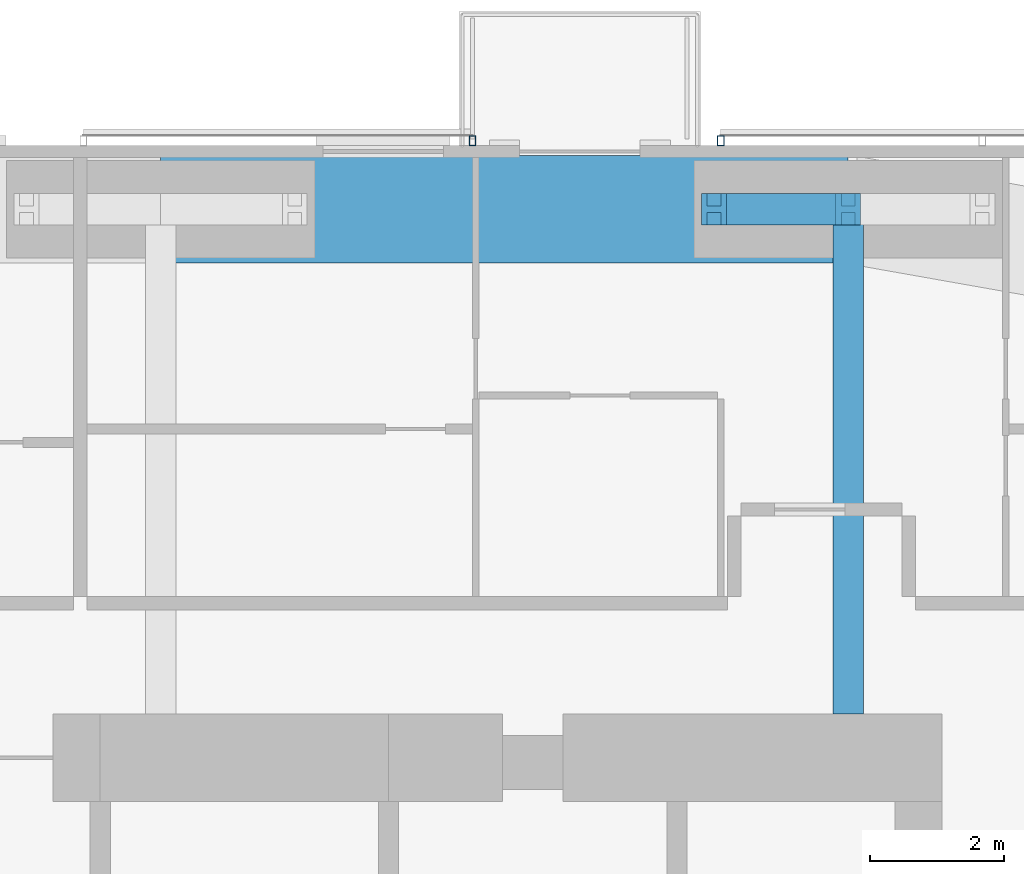
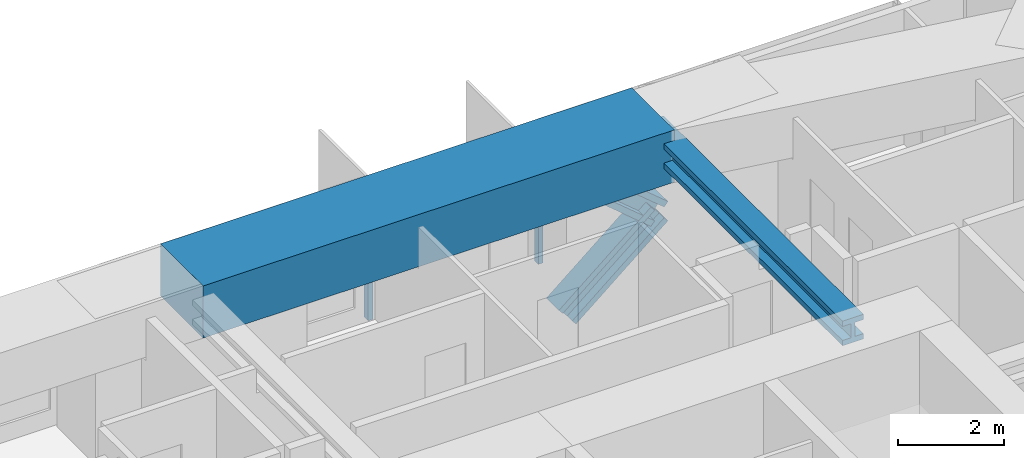
# One storey, part 12 of 23: 4 members, 2 beams, 2 elements without a shape of their own.
"""IFC4 building model written with IfcOpenShell, lengths in metres."""

from ifc_helpers import new_model, si_unit, direction, frame, origin, origin_2d, place, context, subcontext, project, spatial, rectangle, hollow_rectangle, i_section, extrude, material, material_profile, profile_set, type_object, element, aggregate, save


model = new_model("IFC4")

# Units and contexts
model_context = context("Model", 3, precision=1e-05, world=origin(), true_north=direction((0.0, 1.0)))
body_context = subcontext(model_context, "Body", "Model", "MODEL_VIEW")
ifc_project = project(units=[si_unit("LENGTHUNIT", "METRE"), si_unit("AREAUNIT", "SQUARE_METRE"), si_unit("VOLUMEUNIT", "CUBIC_METRE"), si_unit("PLANEANGLEUNIT", "RADIAN"), si_unit("MASSUNIT", "GRAM", prefix="KILO")], contexts=[model_context])

# Site, building, storey
site_placement = place(None, origin())
site = spatial("IfcSite", under=ifc_project, at=site_placement, CompositionType="ELEMENT")
building_placement = place(site_placement, origin())
building = spatial("IfcBuilding", under=site, at=building_placement, Name="Jalousie Tower", CompositionType="ELEMENT")
storey_placement = place(building_placement, frame((0.0, 0.0, 164.39990234375)))
storey = spatial("IfcBuildingStorey", under=building, at=storey_placement, Name="L44", CompositionType="ELEMENT", Elevation=164.39990234375)

# Beam
ifc_material_1 = material(Name="Steel ASTM A992 Grade 50", Category="steel")
ifc_material_profile_1 = material_profile(ifc_material_1, i_section(OverallWidth=0.45458984375, OverallDepth=0.569091796875, WebThickness=0.077880859375, FlangeThickness=0.124755859375, at=origin_2d()), Name="W14X730")
ifc_profile_set_1 = profile_set([ifc_material_profile_1], Name="Steel ASTM A992 Grade 50")
beam_type_1 = type_object("IfcBeamType", Name="LEAN COLLECTOR W14X730", PredefinedType="BEAM", material=ifc_profile_set_1)
beam_1_placement = place(storey_placement, frame((42.75, 35.050048828125, 2.82568359375), z_axis=(0.0, -1.0, 0.0), x_axis=(1.0, 0.0, 0.0)))
element("IfcBeam", 1, at=beam_1_placement, inside=storey, type_object=beam_type_1, Name="Lean collector under L45", PredefinedType="BEAM", context=body_context, shape_type="SweptSolid", body=[
    extrude(i_section(OverallWidth=0.45458984375, OverallDepth=0.569091796875, WebThickness=0.077880859375, FlangeThickness=0.124755859375, at=origin_2d()), origin(), (0.0, 0.0, 1.0), 7.525146484375),
])

# Members
ifc_material_2 = material(Name="Steel ASTM A992 Grade 50", Category="steel")
ifc_material_profile_2 = material_profile(ifc_material_2, i_section(OverallWidth=0.472412109375, OverallDepth=0.5791015625, WebThickness=0.094970703125, FlangeThickness=0.1298828125, at=origin_2d()), Name="W14X808")
ifc_profile_set_2 = profile_set([ifc_material_profile_2], Name="Steel ASTM A992 Grade 50")
member_type_1 = type_object("IfcMemberType", Name="PERIMETER BRACE W14X808", PredefinedType="BRACE", material=ifc_profile_set_2)
member_1_placement = place(storey_placement, frame((40.75, 35.050048828125, -0.599853515625), z_axis=(0.766638753323, 0.0, 0.642078672674), x_axis=(0.0, 1.0, 0.0)))
element("IfcMember", 2, at=member_1_placement, inside=storey, type_object=member_type_1, Name="Perimeter brace 09 L44 part 1", PredefinedType="BRACE", context=body_context, shape_type="SweptSolid", body=[
    extrude(i_section(OverallWidth=0.472412109375, OverallDepth=0.5791015625, WebThickness=0.094970703125, FlangeThickness=0.1298828125, at=origin_2d()), origin(), (0.0, 0.0, 1.0), 2.60888671875),
])
member_2_placement = place(storey_placement, frame((42.75, 35.050048828125, 1.0751953125), z_axis=(-0.766684820047, 0.0, 0.642023665225), x_axis=(0.0, -1.0, 0.0)))
element("IfcMember", 3, at=member_2_placement, inside=storey, type_object=member_type_1, Name="Perimeter brace 09 L44 part 4", PredefinedType="BRACE", context=body_context, shape_type="SweptSolid", body=[
    extrude(i_section(OverallWidth=0.472412109375, OverallDepth=0.5791015625, WebThickness=0.094970703125, FlangeThickness=0.1298828125, at=origin_2d()), origin(), (0.0, 0.0, 1.0), 2.608642578125),
])

# Beam
ifc_material_3 = material(Name="Concrete f'c 40 MPa", Category="concrete")
ifc_material_profile_3 = material_profile(ifc_material_3, rectangle(XDim=1.60009765625, YDim=1.199951171875, at=origin_2d()), Name="RC 1600x1200")
ifc_profile_set_3 = profile_set([ifc_material_profile_3], Name="Concrete f'c 40 MPa")
beam_type_2 = type_object("IfcBeamType", Name="RC BEAM 1600x1200", PredefinedType="BEAM", material=ifc_profile_set_3)
beam_2_placement = place(storey_placement, frame((42.75, 35.050048828125, 2.75), z_axis=(-1.0, 0.0, 0.0), x_axis=(0.0, -1.0, 0.0)))
element("IfcBeam", 4, at=beam_2_placement, inside=storey, type_object=beam_type_2, Name="Edge band beam 09-10 under L45", PredefinedType="BEAM", context=body_context, shape_type="SweptSolid", body=[
    extrude(rectangle(XDim=1.60009765625, YDim=1.199951171875, at=origin_2d()), origin(), (0.0, 0.0, 1.0), 10.25),
])

# Curtain wall, member
ifc_material_4 = material(Name="Perforated aluminium sheet", Category="aluminium")
curtain_wall_type = type_object("IfcCurtainWallType", Name="SOLAR SCREEN SS-1", PredefinedType="USERDEFINED", material=ifc_material_4)
curtain_wall_1_placement = place(storey_placement, origin())
curtain_wall_1 = element("IfcCurtainWall", 5, at=curtain_wall_1_placement, inside=storey, type_object=curtain_wall_type, Name="Solar screen L44", ObjectType="SOLAR SCREEN SS-1", PredefinedType="USERDEFINED")
ifc_material_5 = material(Name="Steel ASTM A500 Grade C", Category="steel")
ifc_material_profile_4 = material_profile(ifc_material_5, hollow_rectangle(XDim=0.1015625, YDim=0.15234375, WallThickness=0.00634765625, at=origin_2d()), Name="HSS6X4X1/4")
ifc_profile_set_4 = profile_set([ifc_material_profile_4], Name="Steel ASTM A500 Grade C")
member_type_2 = type_object("IfcMemberType", Name="SOLAR SCREEN SS-1 MULLION", PredefinedType="MULLION", material=ifc_profile_set_4)
member_3_placement = place(storey_placement, frame((40.85009765625, 36.0712890625, -0.119873046875), z_axis=(0.0, 0.0, 1.0), x_axis=(-1.0, 0.0, 0.0)))
member_3 = element("IfcMember", 6, at=member_3_placement, type_object=member_type_2, Name="SS1 post 3", PredefinedType="MULLION", context=body_context, shape_type="SweptSolid", body=[
    extrude(hollow_rectangle(XDim=0.1015625, YDim=0.15234375, WallThickness=0.00634765625, at=origin_2d()), origin(), (0.0, 0.0, 1.0), 3.22998046875),
])
aggregate(curtain_wall_1, [member_3])

curtain_wall_2_placement = place(storey_placement, origin())
curtain_wall_2 = element("IfcCurtainWall", 7, at=curtain_wall_2_placement, inside=storey, type_object=curtain_wall_type, Name="Solar screen L44", ObjectType="SOLAR SCREEN SS-1", PredefinedType="USERDEFINED")
member_4_placement = place(storey_placement, frame((37.14990234375, 36.0712890625, -0.119873046875), z_axis=(0.0, 0.0, 1.0), x_axis=(-1.0, 0.0, 0.0)))
member_4 = element("IfcMember", 8, at=member_4_placement, type_object=member_type_2, Name="SS1 post 1", PredefinedType="MULLION", context=body_context, shape_type="SweptSolid", body=[
    extrude(hollow_rectangle(XDim=0.1015625, YDim=0.15234375, WallThickness=0.00634765625, at=origin_2d()), origin(), (0.0, 0.0, 1.0), 3.22998046875),
])
aggregate(curtain_wall_2, [member_4])

save(model, "model.ifc")
